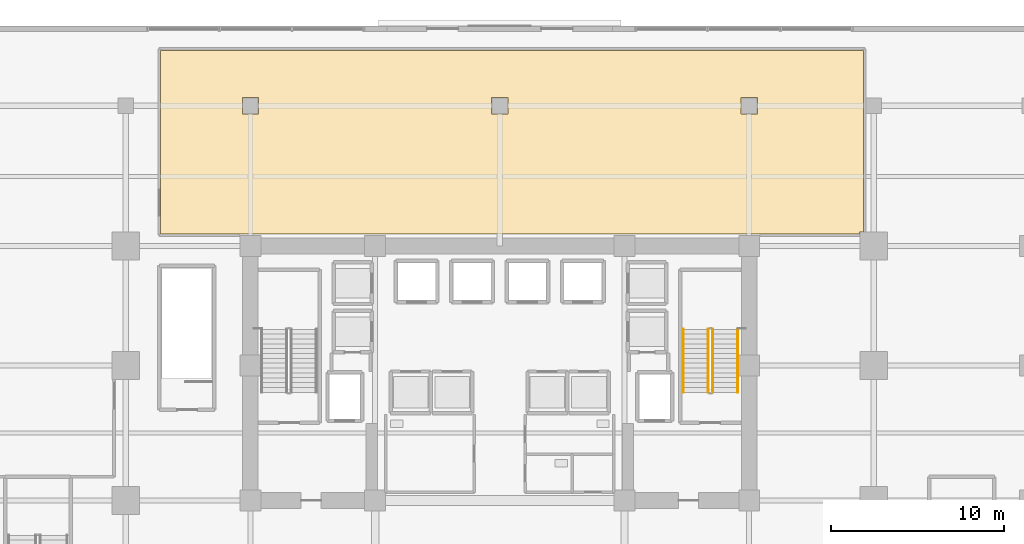
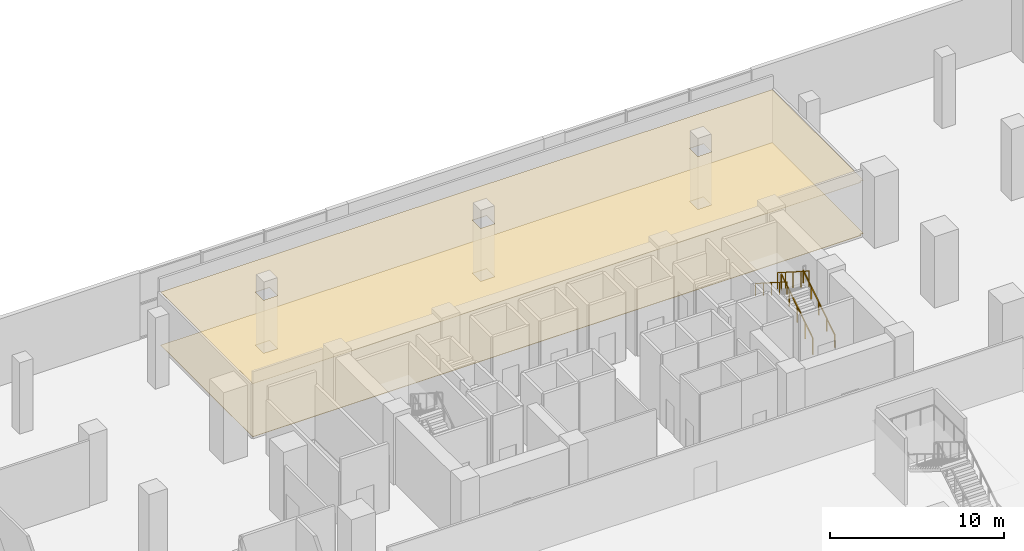
# One storey, part 23 of 27: 4 railings, 2 coverings.
"""IFC4 building model written with IfcOpenShell, lengths in metres."""

from ifc_helpers import new_model, si_unit, direction, frame, origin, origin_2d, place, context, subcontext, project, spatial, polyline, rectangle, outline, extrude, material, layer, layer_set, type_object, element, save


model = new_model("IFC4")

# Units and contexts
model_context = context("Model", 3, precision=1e-05, world=origin(), true_north=direction((0.0, 1.0)))
body_context = subcontext(model_context, "Body", "Model", "MODEL_VIEW")
ifc_project = project(units=[si_unit("LENGTHUNIT", "METRE"), si_unit("AREAUNIT", "SQUARE_METRE"), si_unit("VOLUMEUNIT", "CUBIC_METRE"), si_unit("PLANEANGLEUNIT", "RADIAN"), si_unit("MASSUNIT", "GRAM", prefix="KILO")], contexts=[model_context])

# Site, building, storey
site_placement = place(None, origin())
site = spatial("IfcSite", under=ifc_project, at=site_placement, CompositionType="ELEMENT")
building_placement = place(site_placement, origin())
building = spatial("IfcBuilding", under=site, at=building_placement, Name="Zarnakvel Exchange Tower", CompositionType="ELEMENT")
storey_placement = place(building_placement, origin())
storey = spatial("IfcBuildingStorey", under=building, at=storey_placement, Name="L00", CompositionType="ELEMENT", Elevation=0.0)

# Coverings
ifc_material_1 = material(Name="Perforated Bronze Acoustic Metal Ceiling", Category="aluminium")
ifc_layer_1 = layer(ifc_material_1, 0.02001953125)
ifc_layer_set_1 = layer_set([ifc_layer_1], Name="Perforated Bronze Acoustic Metal Ceiling")
covering_type_1 = type_object("IfcCoveringType", Name="CLG-01", PredefinedType="CEILING", material=ifc_layer_set_1)
covering_1_placement = place(storey_placement, frame((0.0, 0.0, 3.72998046875)))
element("IfcCovering", 1, at=covering_1_placement, inside=storey, type_object=covering_type_1, Name="L00 Suspended Acoustic Ceiling (North Drop-Off Reception Concourse)", PredefinedType="CEILING", context=body_context, shape_type="SweptSolid", body=[
    extrude(outline(polyline([(21.0, 24.800048828125), (21.0, 14.320068359375), (20.780029296875, 14.320068359375), (20.780029296875, 14.199951171875), (-19.590087890625, 14.199951171875), (-19.590087890625, 24.800048828125), (21.0, 24.800048828125)]), holes=[polyline([(13.929931640625, 21.1298828125), (14.8701171875, 21.1298828125), (14.8701171875, 22.070068359375), (13.929931640625, 22.070068359375), (13.929931640625, 21.1298828125)]), polyline([(-0.469970703125, 21.1298828125), (0.469970703125, 21.1298828125), (0.469970703125, 22.070068359375), (-0.469970703125, 22.070068359375), (-0.469970703125, 21.1298828125)]), polyline([(-13.929931640625, 21.1298828125), (-13.929931640625, 22.070068359375), (-14.8701171875, 22.070068359375), (-14.8701171875, 21.1298828125), (-13.929931640625, 21.1298828125)])]), origin(), (0.0, 0.0, 1.0), 0.02001953125),
])
ifc_material_2 = material(Name="Honed Limestone & Turquoise Inlay Stone", Category="masonry")
ifc_layer_2 = layer(ifc_material_2, 0.030029296875)
ifc_layer_set_2 = layer_set([ifc_layer_2], Name="Honed Limestone & Turquoise Inlay Stone")
covering_type_2 = type_object("IfcCoveringType", Name="FLR-01", PredefinedType="FLOORING", material=ifc_layer_set_2)
covering_2_placement = place(storey_placement, origin())
element("IfcCovering", 2, at=covering_2_placement, inside=storey, type_object=covering_type_2, Name="L00 Floor Finish (North Drop-Off Reception Concourse)", PredefinedType="FLOORING", context=body_context, shape_type="SweptSolid", body=[
    extrude(outline(polyline([(21.0, 24.800048828125), (21.0, 14.320068359375), (20.780029296875, 14.320068359375), (20.780029296875, 14.199951171875), (-19.590087890625, 14.199951171875), (-19.590087890625, 24.800048828125), (21.0, 24.800048828125)]), holes=[polyline([(13.929931640625, 21.1298828125), (14.8701171875, 21.1298828125), (14.8701171875, 22.070068359375), (13.929931640625, 22.070068359375), (13.929931640625, 21.1298828125)]), polyline([(-0.469970703125, 21.1298828125), (0.469970703125, 21.1298828125), (0.469970703125, 22.070068359375), (-0.469970703125, 22.070068359375), (-0.469970703125, 21.1298828125)]), polyline([(-13.929931640625, 21.1298828125), (-13.929931640625, 22.070068359375), (-14.8701171875, 22.070068359375), (-14.8701171875, 21.1298828125), (-13.929931640625, 21.1298828125)])]), origin(), (0.0, 0.0, 1.0), 0.030029296875),
])

# Railings
ifc_material_3 = material(Name="Brushed Stainless Steel", Category="steel")
railing_type_1 = type_object("IfcRailingType", Name="HR-01", PredefinedType="HANDRAIL", material=ifc_material_3)
railing_1_placement = place(storey_placement, frame((13.75, 5.050048828125, 0.178466796875)))
element("IfcRailing", 3, at=railing_1_placement, inside=storey, type_object=railing_type_1, Name="L00 ST-02 stair handrail 1", PredefinedType="HANDRAIL", context=body_context, shape_type="SweptSolid", body=[
    extrude(rectangle(XDim=0.048095703125, YDim=0.048095703125, at=origin_2d()), frame((0.0, 0.0, 0.8759765625), z_axis=(0.0, 0.843111507901, 0.53773877045), x_axis=(-1.0, 0.0, 0.0)), (0.0, 0.0, 1.0), 4.317138671875),
    extrude(rectangle(XDim=0.0419921875, YDim=0.0419921875, at=origin_2d()), origin(), (0.0, 0.0, 1.0), 0.851806640625),
    extrude(rectangle(XDim=0.0419921875, YDim=0.0419921875, at=origin_2d()), frame((0.0, 0.909912109375, 0.580322265625)), (0.0, 0.0, 1.0), 0.851806640625),
    extrude(rectangle(XDim=0.0419921875, YDim=0.0419921875, at=origin_2d()), frame((0.0, 1.81982421875, 1.16064453125)), (0.0, 0.0, 1.0), 0.851806640625),
    extrude(rectangle(XDim=0.0419921875, YDim=0.0419921875, at=origin_2d()), frame((0.0, 2.72998046875, 1.7412109375)), (0.0, 0.0, 1.0), 0.851806640625),
    extrude(rectangle(XDim=0.0419921875, YDim=0.0419921875, at=origin_2d()), frame((0.0, 3.639892578125, 2.321533203125)), (0.0, 0.0, 1.0), 0.851806640625),
])
railing_2_placement = place(storey_placement, frame((10.590087890625, 8.68994140625, 2.678466796875)))
element("IfcRailing", 4, at=railing_2_placement, inside=storey, type_object=railing_type_1, Name="L00 ST-02 stair handrail 2", PredefinedType="HANDRAIL", context=body_context, shape_type="SweptSolid", body=[
    extrude(rectangle(XDim=0.048095703125, YDim=0.048095703125, at=origin_2d()), frame((0.0, 0.0, 0.8759765625), z_axis=(0.0, -0.843111507901, 0.53773877045), x_axis=(1.0, 0.0, 0.0)), (0.0, 0.0, 1.0), 4.317138671875),
    extrude(rectangle(XDim=0.0419921875, YDim=0.0419921875, at=origin_2d()), origin(), (0.0, 0.0, 1.0), 0.851806640625),
    extrude(rectangle(XDim=0.0419921875, YDim=0.0419921875, at=origin_2d()), frame((0.0, -0.909912109375, 0.580322265625)), (0.0, 0.0, 1.0), 0.851806640625),
    extrude(rectangle(XDim=0.0419921875, YDim=0.0419921875, at=origin_2d()), frame((0.0, -1.81982421875, 1.16064453125)), (0.0, 0.0, 1.0), 0.851806640625),
    extrude(rectangle(XDim=0.0419921875, YDim=0.0419921875, at=origin_2d()), frame((0.0, -2.72998046875, 1.7412109375)), (0.0, 0.0, 1.0), 0.851806640625),
    extrude(rectangle(XDim=0.0419921875, YDim=0.0419921875, at=origin_2d()), frame((0.0, -3.639892578125, 2.321533203125)), (0.0, 0.0, 1.0), 0.851806640625),
])
ifc_material_4 = material(Name="Architectural Bronze Anodised Aluminium", Category="aluminium")
railing_type_2 = type_object("IfcRailingType", Name="SG-01", PredefinedType="GUARDRAIL", material=ifc_material_4)
railing_3_placement = place(storey_placement, frame((12.300048828125, 5.050048828125, 0.178466796875)))
element("IfcRailing", 5, at=railing_3_placement, inside=storey, type_object=railing_type_2, Name="L00 ST-02 stair guard 1", PredefinedType="GUARDRAIL", context=body_context, shape_type="SweptSolid", body=[
    extrude(rectangle(XDim=0.048095703125, YDim=0.048095703125, at=origin_2d()), frame((0.0, 0.0, 1.1259765625), z_axis=(0.0, 0.843111507901, 0.53773877045), x_axis=(-1.0, 0.0, 0.0)), (0.0, 0.0, 1.0), 4.317138671875),
    extrude(rectangle(XDim=0.0419921875, YDim=0.0419921875, at=origin_2d()), origin(), (0.0, 0.0, 1.0), 1.101806640625),
    extrude(rectangle(XDim=0.0419921875, YDim=0.0419921875, at=origin_2d()), frame((0.0, 0.909912109375, 0.580322265625)), (0.0, 0.0, 1.0), 1.101806640625),
    extrude(rectangle(XDim=0.0419921875, YDim=0.0419921875, at=origin_2d()), frame((0.0, 1.81982421875, 1.16064453125)), (0.0, 0.0, 1.0), 1.101806640625),
    extrude(rectangle(XDim=0.0419921875, YDim=0.0419921875, at=origin_2d()), frame((0.0, 2.72998046875, 1.7412109375)), (0.0, 0.0, 1.0), 1.101806640625),
    extrude(rectangle(XDim=0.0419921875, YDim=0.0419921875, at=origin_2d()), frame((0.0, 3.639892578125, 2.321533203125)), (0.0, 0.0, 1.0), 1.101806640625),
])
railing_4_placement = place(storey_placement, frame((12.0400390625, 8.68994140625, 2.678466796875)))
element("IfcRailing", 6, at=railing_4_placement, inside=storey, type_object=railing_type_2, Name="L00 ST-02 stair guard 3", PredefinedType="GUARDRAIL", context=body_context, shape_type="SweptSolid", body=[
    extrude(rectangle(XDim=0.048095703125, YDim=0.048095703125, at=origin_2d()), frame((0.0, 0.0, 1.1259765625), z_axis=(0.0, -0.843111507901, 0.53773877045), x_axis=(1.0, 0.0, 0.0)), (0.0, 0.0, 1.0), 4.317138671875),
    extrude(rectangle(XDim=0.0419921875, YDim=0.0419921875, at=origin_2d()), origin(), (0.0, 0.0, 1.0), 1.101806640625),
    extrude(rectangle(XDim=0.0419921875, YDim=0.0419921875, at=origin_2d()), frame((0.0, -0.909912109375, 0.580322265625)), (0.0, 0.0, 1.0), 1.101806640625),
    extrude(rectangle(XDim=0.0419921875, YDim=0.0419921875, at=origin_2d()), frame((0.0, -1.81982421875, 1.16064453125)), (0.0, 0.0, 1.0), 1.101806640625),
    extrude(rectangle(XDim=0.0419921875, YDim=0.0419921875, at=origin_2d()), frame((0.0, -2.72998046875, 1.7412109375)), (0.0, 0.0, 1.0), 1.101806640625),
    extrude(rectangle(XDim=0.0419921875, YDim=0.0419921875, at=origin_2d()), frame((0.0, -3.639892578125, 2.321533203125)), (0.0, 0.0, 1.0), 1.101806640625),
])

save(model, "model.ifc")
